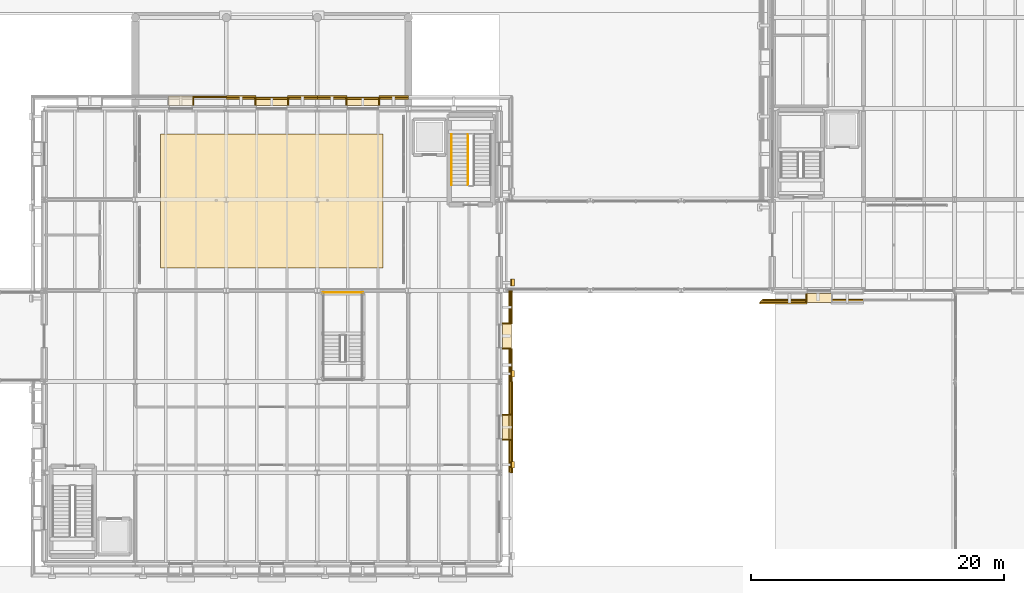
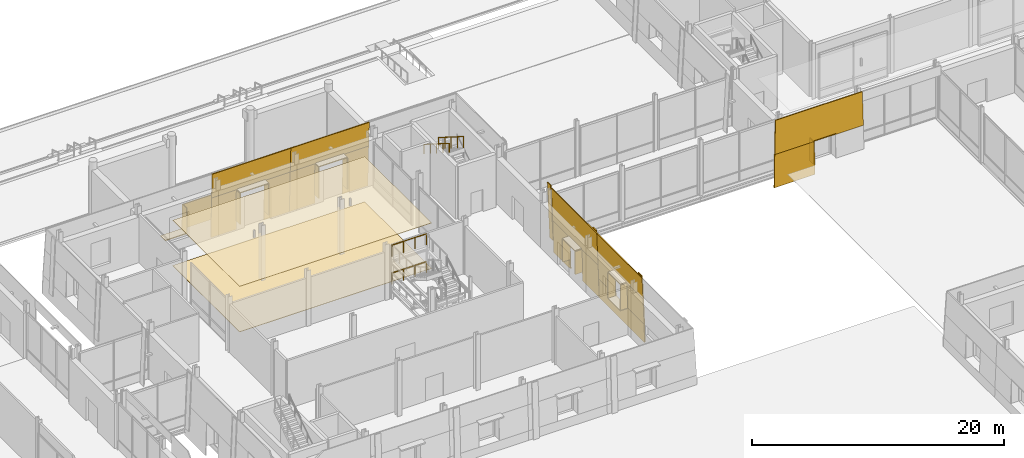
# One storey, part 113 of 120: 38 coverings, 4 railings.
"""IFC4 building model written with IfcOpenShell, lengths in metres."""

from ifc_helpers import new_model, si_unit, direction, frame, origin, origin_2d, place, context, subcontext, project, spatial, polyline, circle, outline, extrude, material, layer, layer_set, type_object, element, save


model = new_model("IFC4")

# Units and contexts
model_context = context("Model", 3, precision=1e-05, world=origin(), true_north=direction((0.0, 1.0)))
body_context = subcontext(model_context, "Body", "Model", "MODEL_VIEW")
ifc_project = project(units=[si_unit("LENGTHUNIT", "METRE"), si_unit("AREAUNIT", "SQUARE_METRE"), si_unit("VOLUMEUNIT", "CUBIC_METRE"), si_unit("PLANEANGLEUNIT", "RADIAN"), si_unit("MASSUNIT", "GRAM", prefix="KILO")], contexts=[model_context])

# Site, building, storey
site_placement = place(None, origin())
site = spatial("IfcSite", under=ifc_project, at=site_placement, CompositionType="ELEMENT")
building_placement = place(site_placement, origin())
building = spatial("IfcBuilding", under=site, at=building_placement, Name="Narikvali Park Central Library", CompositionType="ELEMENT")
storey_placement = place(building_placement, origin())
storey = spatial("IfcBuildingStorey", under=building, at=storey_placement, Name="L00", CompositionType="ELEMENT", Elevation=0.0)

# Coverings
ifc_material_1 = material(Name="Acoustic Micro-Perforated Caucasian Oak")
ifc_layer_1 = layer(ifc_material_1, 0.044921875, Name="Acoustic Micro-Perforated Caucasian Oak")
ifc_layer_set_1 = layer_set([ifc_layer_1], Name="Acoustic Micro-Perforated Caucasian Oak")
covering_type_1 = type_object("IfcCoveringType", Name="Acoustic Perforated Timber Suspended Ceiling", PredefinedType="CEILING", material=ifc_layer_set_1)
covering_1_placement = place(storey_placement, frame((0.0, 0.0, 4.39501953125)))
element("IfcCovering", 1, at=covering_1_placement, inside=storey, type_object=covering_type_1, Name="V1 L00 Acoustic Suspended Ceiling 01", PredefinedType="CEILING", context=body_context, shape_type="SweptSolid", body=[
    extrude(outline(polyline([(74.0, 81.0), (91.60009765625, 81.0), (91.60009765625, 91.60009765625), (74.0, 91.60009765625), (74.0, 81.0)])), origin(), (0.0, 0.0, 1.0), 0.044921875),
])
ifc_material_2 = material(Name="White Honed Limestone Cladding", Category="masonry")
ifc_layer_2 = layer(ifc_material_2, 0.0849609375, Name="White Honed Limestone Cladding")
ifc_layer_set_2 = layer_set([ifc_layer_2], Name="White Honed Limestone Cladding")
covering_type_2 = type_object("IfcCoveringType", Name="Battered White Limestone Facade Cladding Panel", PredefinedType="CLADDING", material=ifc_layer_set_2)
covering_2_placement = place(storey_placement, frame((101.97998046875, 65.14990234375, 0.0), z_axis=(0.999163953268, 0.0, 0.040882691821), x_axis=(0.0, 1.0, 0.0)))
element("IfcCovering", 2, at=covering_2_placement, inside=storey, type_object=covering_type_2, Name="V1 L00 E Classical Limestone Pilaster B02", PredefinedType="CLADDING", context=body_context, shape_type="SweptSolid", body=[
    extrude(outline(polyline([(0.0, 0.0), (0.550048828125, 0.0), (0.550048828125, 5.40442069200982), (0.0, 5.40442069200982), (0.0, 0.0)])), origin(), (0.0, 0.0, -1.0), 0.0849609375),
])
covering_3_placement = place(storey_placement, frame((101.840087890625, 64.800048828125, -0.8798828125), z_axis=(0.999785548483, 0.0, 0.020708863899), x_axis=(0.0, 1.0, 0.0)))
element("IfcCovering", 3, at=covering_3_placement, inside=storey, type_object=covering_type_2, Name="V1 L00 E Battered Limestone Spandrel B02", PredefinedType="CLADDING", context=body_context, shape_type="SweptSolid", body=[
    extrude(outline(polyline([(0.0, 0.0), (7.199951171875, 0.0), (7.199951171875, 1.780166915745083), (0.0, 1.780166915745083), (0.0, 0.0)])), origin(), (0.0, 0.0, -1.0), 0.0849609375),
])
covering_4_placement = place(storey_placement, frame((101.702880859375, 64.800048828125, 3.35009765625), z_axis=(0.99916170734, 0.0, 0.040937544941), x_axis=(0.0, 1.0, 0.0)))
element("IfcCovering", 4, at=covering_4_placement, inside=storey, type_object=covering_type_2, Name="V1 L00 E Battered Limestone Lintel B02", PredefinedType="CLADDING", context=body_context, shape_type="SweptSolid", body=[
    extrude(outline(polyline([(0.0, 0.0), (7.199951171875, 0.0), (7.199951171875, 2.0515244654015494), (0.0, 2.0515244654015494), (0.0, 0.0)])), origin(), (0.0, 0.0, -1.0), 0.0849609375),
])
for number, where, z_axis, x_axis, name in (
    (5, (101.80322265625, 64.800048828125, 0.89990234375), (0.999162496768, 0.0, 0.040918272835), (0.0, 1.0, 0.0), "V1 L00 E Battered Limestone Jamb Pier L B02"),
    (6, (101.80322265625, 69.340087890625, 0.89990234375), (0.999162496768, 0.0, 0.040918272835), (0.0, 1.0, 0.0), "V1 L00 E Battered Limestone Jamb Pier R B02"),
):
    element("IfcCovering", number, at=place(storey_placement, frame(where, z_axis=z_axis, x_axis=x_axis)), inside=storey, type_object=covering_type_2, Name=name, PredefinedType="CLADDING", context=body_context, shape_type="SweptSolid", body=[
        extrude(outline(polyline([(0.0, 0.0), (2.659912109375, 0.0), (2.659912109375, 2.4522490790286935), (0.0, 2.4522490790286935), (0.0, 0.0)])), origin(), (0.0, 0.0, -1.0), 0.0849609375),
    ])
covering_5_placement = place(storey_placement, frame((101.97998046875, 72.35009765625, 0.0), z_axis=(0.999163953268, 0.0, 0.040882691821), x_axis=(0.0, 1.0, 0.0)))
element("IfcCovering", 7, at=covering_5_placement, inside=storey, type_object=covering_type_2, Name="V1 L00 E Classical Limestone Pilaster B03", PredefinedType="CLADDING", context=body_context, shape_type="SweptSolid", body=[
    extrude(outline(polyline([(0.0, 0.0), (0.5498046875, 0.0), (0.5498046875, 5.40442069200982), (0.0, 5.40442069200982), (0.0, 0.0)])), origin(), (0.0, 0.0, -1.0), 0.0849609375),
])
for number, where, z_axis, x_axis, name in (
    (8, (101.840087890625, 72.0, -0.8798828125), (0.999567416371, 0.0, 0.029410544531), (0.0, 1.0, 0.0), "V1 L00 E Battered Portal Pier L B03"),
    (9, (101.840087890625, 76.56005859375, -0.8798828125), (0.999567416371, 0.0, 0.029410544531), (0.0, 1.0, 0.0), "V1 L00 E Battered Portal Pier R B03"),
):
    element("IfcCovering", number, at=place(storey_placement, frame(where, z_axis=z_axis, x_axis=x_axis)), inside=storey, type_object=covering_type_2, Name=name, PredefinedType="CLADDING", context=body_context, shape_type="SweptSolid", body=[
        extrude(outline(polyline([(0.0, 0.0), (2.639892578125, 0.0), (2.639892578125, 3.1212232369500366), (0.0, 3.1212232369500366), (0.0, 0.0)])), origin(), (0.0, 0.0, -1.0), 0.0849609375),
    ])
covering_6_placement = place(storey_placement, frame((101.748291015625, 72.0, 2.239990234375), z_axis=(0.9991626518, 0.0, 0.040914487016), x_axis=(0.0, 1.0, 0.0)))
element("IfcCovering", 10, at=covering_6_placement, inside=storey, type_object=covering_type_2, Name="V1 L00 E Battered Portal Header B03", PredefinedType="CLADDING", context=body_context, shape_type="SweptSolid", body=[
    extrude(outline(polyline([(0.0, 0.0), (7.199951171875, 0.0), (7.199951171875, 3.162560273527158), (0.0, 3.162560273527158), (0.0, 0.0)])), origin(), (0.0, 0.0, -1.0), 0.0849609375),
])
covering_7_placement = place(storey_placement, frame((101.97998046875, 79.550048828125, 0.0), z_axis=(0.999163953268, 0.0, 0.040882691821), x_axis=(0.0, 1.0, 0.0)))
element("IfcCovering", 11, at=covering_7_placement, inside=storey, type_object=covering_type_2, Name="V1 L00 E Classical Limestone Pilaster B04", PredefinedType="CLADDING", context=body_context, shape_type="SweptSolid", body=[
    extrude(outline(polyline([(0.0, 0.0), (0.550048828125, 0.0), (0.550048828125, 5.40442069200982), (0.0, 5.40442069200982), (0.0, 0.0)])), origin(), (0.0, 0.0, -1.0), 0.0849609375),
])
for number, where, z_axis, x_axis, name in (
    (12, (93.60009765625, 94.639892578125, -0.8798828125), (0.0, 0.999497884469, 0.031685626756), (-1.0, 0.0, 0.0), "V1 L00 N Battered Portal Pier L B02"),
    (13, (88.739990234375, 94.639892578125, -0.8798828125), (0.0, 0.999497884469, 0.031685626756), (-1.0, 0.0, 0.0), "V1 L00 N Battered Portal Pier R B02"),
):
    element("IfcCovering", number, at=place(storey_placement, frame(where, z_axis=z_axis, x_axis=x_axis)), inside=storey, type_object=covering_type_2, Name=name, PredefinedType="CLADDING", context=body_context, shape_type="SweptSolid", body=[
        extrude(outline(polyline([(0.0, 0.0), (2.340087890625, 0.0), (2.340087890625, 3.921891117442779), (0.0, 3.921891117442779), (0.0, 0.0)])), origin(), (0.0, 0.0, -1.0), 0.0849609375),
    ])
covering_8_placement = place(storey_placement, frame((93.60009765625, 94.515625, 3.0400390625), z_axis=(0.0, 0.999161852366, 0.040934005125), x_axis=(-1.0, 0.0, 0.0)))
element("IfcCovering", 14, at=covering_8_placement, inside=storey, type_object=covering_type_2, Name="V1 L00 N Battered Portal Header B02", PredefinedType="CLADDING", context=body_context, shape_type="SweptSolid", body=[
    extrude(outline(polyline([(0.0, 0.0), (7.2001953125, 0.0), (7.2001953125, 2.361842854249011), (0.0, 2.361842854249011), (0.0, 0.0)])), origin(), (0.0, 0.0, -1.0), 0.0849609375),
])
covering_9_placement = place(storey_placement, frame((86.39990234375, 94.639892578125, -0.8798828125), z_axis=(0.0, 0.999497884469, 0.031685626756), x_axis=(-1.0, 0.0, 0.0)))
element("IfcCovering", 15, at=covering_9_placement, inside=storey, type_object=covering_type_2, Name="V1 L00 N Battered Portal Pier L B03", PredefinedType="CLADDING", context=body_context, shape_type="SweptSolid", body=[
    extrude(outline(polyline([(0.0, 0.0), (2.33984375, 0.0), (2.33984375, 3.9218911174427786), (0.0, 3.9218911174427786), (0.0, 0.0)])), origin(), (0.0, 0.0, -1.0), 0.0849609375),
])
covering_10_placement = place(storey_placement, frame((81.5400390625, 94.639892578125, -0.8798828125), z_axis=(0.0, 0.999497884469, 0.031685626756), x_axis=(-1.0, 0.0, 0.0)))
element("IfcCovering", 16, at=covering_10_placement, inside=storey, type_object=covering_type_2, Name="V1 L00 N Battered Portal Pier R B03", PredefinedType="CLADDING", context=body_context, shape_type="SweptSolid", body=[
    extrude(outline(polyline([(0.0, 0.0), (2.340087890625, 0.0), (2.340087890625, 3.921891117442779), (0.0, 3.921891117442779), (0.0, 0.0)])), origin(), (0.0, 0.0, -1.0), 0.0849609375),
])
covering_11_placement = place(storey_placement, frame((86.39990234375, 94.515625, 3.0400390625), z_axis=(0.0, 0.999161852366, 0.040934005125), x_axis=(-1.0, 0.0, 0.0)))
element("IfcCovering", 17, at=covering_11_placement, inside=storey, type_object=covering_type_2, Name="V1 L00 N Battered Portal Header B03", PredefinedType="CLADDING", context=body_context, shape_type="SweptSolid", body=[
    extrude(outline(polyline([(0.0, 0.0), (7.199951171875, 0.0), (7.199951171875, 2.361842854249011), (0.0, 2.361842854249011), (0.0, 0.0)])), origin(), (0.0, 0.0, -1.0), 0.0849609375),
])
covering_12_placement = place(storey_placement, frame((79.199951171875, 94.603271484375, 0.89990234375), z_axis=(0.0, 0.999162496768, 0.040918272835), x_axis=(-1.0, 0.0, 0.0)))
element("IfcCovering", 18, at=covering_12_placement, inside=storey, type_object=covering_type_2, Name="V1 L00 N Battered Limestone Jamb Pier L B04", PredefinedType="CLADDING", context=body_context, shape_type="SweptSolid", body=[
    extrude(outline(polyline([(0.0, 0.0), (2.659912109375, 0.0), (2.659912109375, 2.4522490790286935), (0.0, 2.4522490790286935), (0.0, 0.0)])), origin(), (0.0, 0.0, -1.0), 0.0849609375),
])
covering_13_placement = place(storey_placement, frame((121.360107421875, 78.159912109375, -0.8798828125), z_axis=(0.0, -0.999301161828, 0.037378977647), x_axis=(1.0, 0.0, 0.0)))
element("IfcCovering", 19, at=covering_13_placement, inside=storey, type_object=covering_type_2, Name="V3 L00 S Battered Portal Pier L B01", PredefinedType="CLADDING", context=body_context, shape_type="SweptSolid", body=[
    extrude(outline(polyline([(0.0, 0.0), (3.7568359375, 0.0), (3.7568359375, 3.1220548579859955), (0.11669921875, 3.1220548579859955), (0.0, 0.0)])), origin(), (0.0, 0.0, -1.0), 0.0849609375),
])
covering_14_placement = place(storey_placement, frame((121.476806640625, 78.276611328125, 2.239990234375), z_axis=(0.0, -0.998642865618, 0.052080965332), x_axis=(1.0, 0.0, 0.0)))
element("IfcCovering", 20, at=covering_14_placement, inside=storey, type_object=covering_type_2, Name="V3 L00 S Battered Portal Header B01", PredefinedType="CLADDING", context=body_context, shape_type="SweptSolid", body=[
    extrude(outline(polyline([(0.0, 0.0), (8.123291015625, 0.0), (8.123291015625, 3.164206362620894), (0.16455078125, 3.164206362620894), (0.0, 0.0)])), origin(), (0.0, 0.0, -1.0), 0.0849609375),
])
ifc_layer_3 = layer(ifc_material_2, 0.080078125, Name="White Honed Limestone Cladding")
ifc_layer_set_3 = layer_set([ifc_layer_3], Name="White Honed Limestone Cladding")
covering_type_3 = type_object("IfcCoveringType", Name="Deep Carved White Limestone Window Reveal", PredefinedType="CLADDING", material=ifc_layer_set_3)
covering_15_placement = place(storey_placement, frame((0.0, 0.0, 3.35009765625)))
element("IfcCovering", 21, at=covering_15_placement, inside=storey, type_object=covering_type_3, Name="Deep Stone Reveal Head V1-RVL-L00-E-B02", PredefinedType="CLADDING", context=body_context, shape_type="SweptSolid", body=[
    extrude(outline(polyline([(101.044921875, 67.419921875), (101.044921875, 69.3798828125), (101.702880859375, 69.3798828125), (101.702880859375, 67.419921875), (101.044921875, 67.419921875)])), origin(), (0.0, 0.0, 1.0), 0.079833984375),
])
covering_16_placement = place(storey_placement, frame((0.0, 0.0, 0.820068359375)))
element("IfcCovering", 22, at=covering_16_placement, inside=storey, type_object=covering_type_3, Name="Deep Stone Reveal Sill V1-RVL-L00-E-B02", PredefinedType="CLADDING", context=body_context, shape_type="SweptSolid", body=[
    extrude(outline(polyline([(101.044921875, 67.419921875), (101.044921875, 69.3798828125), (101.80322265625, 69.3798828125), (101.80322265625, 67.419921875), (101.044921875, 67.419921875)])), origin(), (0.0, 0.0, 1.0), 0.079833984375),
])
covering_17_placement = place(storey_placement, frame((0.0, 0.0, 0.89990234375)))
element("IfcCovering", 23, at=covering_17_placement, inside=storey, type_object=covering_type_3, Name="Deep Stone Reveal Jamb L V1-RVL-L00-E-B02", PredefinedType="CLADDING", context=body_context, shape_type="SweptSolid", body=[
    extrude(outline(polyline([(101.044921875, 67.3798828125), (101.044921875, 67.4599609375), (101.702880859375, 67.4599609375), (101.702880859375, 67.3798828125), (101.044921875, 67.3798828125)])), origin(), (0.0, 0.0, 1.0), 2.4501953125),
])
covering_18_placement = place(storey_placement, frame((0.0, 0.0, 0.89990234375)))
element("IfcCovering", 24, at=covering_18_placement, inside=storey, type_object=covering_type_3, Name="Deep Stone Reveal Jamb R V1-RVL-L00-E-B02", PredefinedType="CLADDING", context=body_context, shape_type="SweptSolid", body=[
    extrude(outline(polyline([(101.044921875, 69.340087890625), (101.044921875, 69.419921875), (101.702880859375, 69.419921875), (101.702880859375, 69.340087890625), (101.044921875, 69.340087890625)])), origin(), (0.0, 0.0, 1.0), 2.4501953125),
])
covering_19_placement = place(storey_placement, frame((0.0, 0.0, 2.239990234375)))
element("IfcCovering", 25, at=covering_19_placement, inside=storey, type_object=covering_type_3, Name="Deep Stone Reveal Head V1-RVL-L00-E-B03", PredefinedType="CLADDING", context=body_context, shape_type="SweptSolid", body=[
    extrude(outline(polyline([(101.044921875, 74.60009765625), (101.044921875, 76.60009765625), (101.748291015625, 76.60009765625), (101.748291015625, 74.60009765625), (101.044921875, 74.60009765625)])), origin(), (0.0, 0.0, 1.0), 0.080078125),
])
covering_20_placement = place(storey_placement, frame((0.0, 0.0, 0.02001953125)))
element("IfcCovering", 26, at=covering_20_placement, inside=storey, type_object=covering_type_3, Name="Deep Stone Reveal Jamb L V1-RVL-L00-E-B03", PredefinedType="CLADDING", context=body_context, shape_type="SweptSolid", body=[
    extrude(outline(polyline([(101.044921875, 74.56005859375), (101.044921875, 74.639892578125), (101.748291015625, 74.639892578125), (101.748291015625, 74.56005859375), (101.044921875, 74.56005859375)])), origin(), (0.0, 0.0, 1.0), 2.219970703125),
])
covering_21_placement = place(storey_placement, frame((0.0, 0.0, 0.02001953125)))
element("IfcCovering", 27, at=covering_21_placement, inside=storey, type_object=covering_type_3, Name="Deep Stone Reveal Jamb R V1-RVL-L00-E-B03", PredefinedType="CLADDING", context=body_context, shape_type="SweptSolid", body=[
    extrude(outline(polyline([(101.044921875, 76.56005859375), (101.044921875, 76.639892578125), (101.748291015625, 76.639892578125), (101.748291015625, 76.56005859375), (101.044921875, 76.56005859375)])), origin(), (0.0, 0.0, 1.0), 2.219970703125),
])
covering_22_placement = place(storey_placement, frame((0.0, 0.0, 3.0400390625)))
element("IfcCovering", 28, at=covering_22_placement, inside=storey, type_object=covering_type_3, Name="Deep Stone Reveal Head V1-RVL-L00-N-B02", PredefinedType="CLADDING", context=body_context, shape_type="SweptSolid", body=[
    extrude(outline(polyline([(91.300048828125, 93.844970703125), (88.699951171875, 93.844970703125), (88.699951171875, 94.515625), (91.300048828125, 94.515625), (91.300048828125, 93.844970703125)])), origin(), (0.0, 0.0, 1.0), 0.080078125),
])
covering_23_placement = place(storey_placement, frame((0.0, 0.0, 0.02001953125)))
element("IfcCovering", 29, at=covering_23_placement, inside=storey, type_object=covering_type_3, Name="Deep Stone Reveal Jamb L V1-RVL-L00-N-B02", PredefinedType="CLADDING", context=body_context, shape_type="SweptSolid", body=[
    extrude(outline(polyline([(91.340087890625, 93.844970703125), (91.260009765625, 93.844970703125), (91.260009765625, 94.515625), (91.340087890625, 94.515625), (91.340087890625, 93.844970703125)])), origin(), (0.0, 0.0, 1.0), 3.02001953125),
])
covering_24_placement = place(storey_placement, frame((0.0, 0.0, 0.02001953125)))
element("IfcCovering", 30, at=covering_24_placement, inside=storey, type_object=covering_type_3, Name="Deep Stone Reveal Jamb R V1-RVL-L00-N-B02", PredefinedType="CLADDING", context=body_context, shape_type="SweptSolid", body=[
    extrude(outline(polyline([(88.739990234375, 93.844970703125), (88.659912109375, 93.844970703125), (88.659912109375, 94.515625), (88.739990234375, 94.515625), (88.739990234375, 93.844970703125)])), origin(), (0.0, 0.0, 1.0), 3.02001953125),
])
covering_25_placement = place(storey_placement, frame((0.0, 0.0, 3.0400390625)))
element("IfcCovering", 31, at=covering_25_placement, inside=storey, type_object=covering_type_3, Name="Deep Stone Reveal Head V1-RVL-L00-N-B03", PredefinedType="CLADDING", context=body_context, shape_type="SweptSolid", body=[
    extrude(outline(polyline([(84.10009765625, 93.844970703125), (81.5, 93.844970703125), (81.5, 94.515625), (84.10009765625, 94.515625), (84.10009765625, 93.844970703125)])), origin(), (0.0, 0.0, 1.0), 0.080078125),
])
covering_26_placement = place(storey_placement, frame((0.0, 0.0, 0.02001953125)))
element("IfcCovering", 32, at=covering_26_placement, inside=storey, type_object=covering_type_3, Name="Deep Stone Reveal Jamb L V1-RVL-L00-N-B03", PredefinedType="CLADDING", context=body_context, shape_type="SweptSolid", body=[
    extrude(outline(polyline([(84.139892578125, 93.844970703125), (84.06005859375, 93.844970703125), (84.06005859375, 94.515625), (84.139892578125, 94.515625), (84.139892578125, 93.844970703125)])), origin(), (0.0, 0.0, 1.0), 3.02001953125),
])
covering_27_placement = place(storey_placement, frame((0.0, 0.0, 0.02001953125)))
element("IfcCovering", 33, at=covering_27_placement, inside=storey, type_object=covering_type_3, Name="Deep Stone Reveal Jamb R V1-RVL-L00-N-B03", PredefinedType="CLADDING", context=body_context, shape_type="SweptSolid", body=[
    extrude(outline(polyline([(81.5400390625, 93.844970703125), (81.4599609375, 93.844970703125), (81.4599609375, 94.515625), (81.5400390625, 94.515625), (81.5400390625, 93.844970703125)])), origin(), (0.0, 0.0, 1.0), 3.02001953125),
])
covering_28_placement = place(storey_placement, frame((0.0, 0.0, 0.820068359375)))
element("IfcCovering", 34, at=covering_28_placement, inside=storey, type_object=covering_type_3, Name="Deep Stone Reveal Sill V1-RVL-L00-N-B04", PredefinedType="CLADDING", context=body_context, shape_type="SweptSolid", body=[
    extrude(outline(polyline([(76.580078125, 93.844970703125), (74.6201171875, 93.844970703125), (74.6201171875, 94.603271484375), (76.580078125, 94.603271484375), (76.580078125, 93.844970703125)])), origin(), (0.0, 0.0, 1.0), 0.079833984375),
])
covering_29_placement = place(storey_placement, frame((0.0, 0.0, 0.89990234375)))
element("IfcCovering", 35, at=covering_29_placement, inside=storey, type_object=covering_type_3, Name="Deep Stone Reveal Jamb L V1-RVL-L00-N-B04", PredefinedType="CLADDING", context=body_context, shape_type="SweptSolid", body=[
    extrude(outline(polyline([(76.6201171875, 93.844970703125), (76.5400390625, 93.844970703125), (76.5400390625, 94.5029296875), (76.6201171875, 94.5029296875), (76.6201171875, 93.844970703125)])), origin(), (0.0, 0.0, 1.0), 2.4501953125),
])
covering_30_placement = place(storey_placement, frame((0.0, 0.0, 2.239990234375)))
element("IfcCovering", 36, at=covering_30_placement, inside=storey, type_object=covering_type_3, Name="Deep Stone Reveal Head V3-RVL-L00-S-B01", PredefinedType="CLADDING", context=body_context, shape_type="SweptSolid", body=[
    extrude(outline(polyline([(125.076904296875, 78.955078125), (127.076904296875, 78.955078125), (127.076904296875, 78.276611328125), (125.076904296875, 78.276611328125), (125.076904296875, 78.955078125)])), origin(), (0.0, 0.0, 1.0), 0.080078125),
])
covering_31_placement = place(storey_placement, frame((0.0, 0.0, 0.02001953125)))
element("IfcCovering", 37, at=covering_31_placement, inside=storey, type_object=covering_type_3, Name="Deep Stone Reveal Jamb L V3-RVL-L00-S-B01", PredefinedType="CLADDING", context=body_context, shape_type="SweptSolid", body=[
    extrude(outline(polyline([(125.037109375, 78.955078125), (125.116943359375, 78.955078125), (125.116943359375, 78.276611328125), (125.037109375, 78.276611328125), (125.037109375, 78.955078125)])), origin(), (0.0, 0.0, 1.0), 2.219970703125),
])
ifc_material_3 = material(Name="Polished Georgian Basalt Terrazzo", Category="masonry")
ifc_layer_4 = layer(ifc_material_3, 0.0400390625, Name="Polished Georgian Basalt Terrazzo")
ifc_layer_set_4 = layer_set([ifc_layer_4], Name="Polished Georgian Basalt Terrazzo")
covering_type_4 = type_object("IfcCoveringType", Name="Polished Basalt Terrazzo Floor Finish", PredefinedType="FLOORING", material=ifc_layer_set_4)
covering_32_placement = place(storey_placement, origin())
element("IfcCovering", 38, at=covering_32_placement, inside=storey, type_object=covering_type_4, Name="V1 L00 Basalt Terrazzo Flooring 01", PredefinedType="FLOORING", context=body_context, shape_type="SweptSolid", body=[
    extrude(outline(polyline([(74.0, 81.0), (91.60009765625, 81.0), (91.60009765625, 91.60009765625), (74.0, 91.60009765625), (74.0, 81.0)])), origin(), (0.0, 0.0, 1.0), 0.0400390625),
])

# Railings
ifc_material_4 = material(Name="Brushed Stainless Steel S355", Category="steel")
ifc_layer_5 = layer(ifc_material_4, 0.044921875, Name="Brushed Stainless Steel S355")
ifc_layer_set_5 = layer_set([ifc_layer_5], Name="Brushed Stainless Steel S355")
railing_type_1 = type_object("IfcRailingType", Name="Stair Tubular Steel Handrail 900", PredefinedType="HANDRAIL", material=ifc_layer_set_5)
railing_1_placement = place(storey_placement, frame((97.0, 91.5400390625, 2.8798828125)))
element("IfcRailing", 39, at=railing_1_placement, inside=storey, type_object=railing_type_1, Name="L00 ST-02 stair handrail 2", PredefinedType="HANDRAIL", context=body_context, shape_type="SweptSolid", body=[
    extrude(circle(Radius=0.02392578125, at=origin_2d()), frame((0.0, 0.0, 0.8759765625), z_axis=(0.0, -0.845486444383, 0.533996884227), x_axis=(1.0, 0.0, 0.0)), (0.0, 0.0, 1.0), 4.71923828125),
    extrude(circle(Radius=0.02099609375, at=origin_2d()), origin(), (0.0, 0.0, 1.0), 0.851806640625),
    extrude(circle(Radius=0.02099609375, at=origin_2d()), frame((0.0, -0.99755859375, 0.6298828125)), (0.0, 0.0, 1.0), 0.851806640625),
    extrude(circle(Radius=0.02099609375, at=origin_2d()), frame((0.0, -1.9951171875, 1.260009765625)), (0.0, 0.0, 1.0), 0.851806640625),
    extrude(circle(Radius=0.02099609375, at=origin_2d()), frame((0.0, -2.992431640625, 1.89013671875)), (0.0, 0.0, 1.0), 0.851806640625),
    extrude(circle(Radius=0.02099609375, at=origin_2d()), frame((0.0, -3.989990234375, 2.52001953125)), (0.0, 0.0, 1.0), 0.851806640625),
])
ifc_material_5 = material(Name="Powder-Coated Steel S275", Category="steel")
ifc_layer_6 = layer(ifc_material_5, 0.050048828125, Name="Powder-Coated Steel S275")
ifc_layer_set_6 = layer_set([ifc_layer_6], Name="Powder-Coated Steel S275")
railing_type_2 = type_object("IfcRailingType", Name="Stair Well Steel Guardrail 1100", PredefinedType="GUARDRAIL", material=ifc_layer_set_6)
railing_2_placement = place(storey_placement, frame((98.320068359375, 91.5400390625, 2.8798828125)))
element("IfcRailing", 40, at=railing_2_placement, inside=storey, type_object=railing_type_2, Name="L00 ST-02 stair guard 3", PredefinedType="GUARDRAIL", context=body_context, shape_type="SweptSolid", body=[
    extrude(circle(Radius=0.02392578125, at=origin_2d()), frame((0.0, 0.0, 1.076171875), z_axis=(0.0, -0.845486444383, 0.533996884227), x_axis=(1.0, 0.0, 0.0)), (0.0, 0.0, 1.0), 4.71923828125),
    extrude(circle(Radius=0.02099609375, at=origin_2d()), origin(), (0.0, 0.0, 1.0), 1.052001953125),
    extrude(circle(Radius=0.02099609375, at=origin_2d()), frame((0.0, -0.99755859375, 0.6298828125)), (0.0, 0.0, 1.0), 1.052001953125),
    extrude(circle(Radius=0.02099609375, at=origin_2d()), frame((0.0, -1.9951171875, 1.260009765625)), (0.0, 0.0, 1.0), 1.052001953125),
    extrude(circle(Radius=0.02099609375, at=origin_2d()), frame((0.0, -2.992431640625, 1.89013671875)), (0.0, 0.0, 1.0), 1.052001953125),
    extrude(circle(Radius=0.02099609375, at=origin_2d()), frame((0.0, -3.989990234375, 2.52001953125)), (0.0, 0.0, 1.0), 1.052001953125),
])
for number, where, name in (
    (41, (90.0, 79.050048828125, 1.35009765625), "L00 ST-13 stair guard 5"),
    (42, (90.0, 79.050048828125, 4.050048828125), "L00 ST-13 stair guard 14"),
):
    element("IfcRailing", number, at=place(storey_placement, frame(where)), inside=storey, type_object=railing_type_2, Name=name, PredefinedType="GUARDRAIL", context=body_context, shape_type="SweptSolid", body=[
        extrude(circle(Radius=0.02392578125, at=origin_2d()), frame((0.0, 0.0, 1.076171875), z_axis=(-1.0, 0.0, 0.0), x_axis=(0.0, -1.0, 0.0)), (0.0, 0.0, 1.0), 3.14990234375),
        extrude(circle(Radius=0.02099609375, at=origin_2d()), origin(), (0.0, 0.0, 1.0), 1.052001953125),
        extrude(circle(Radius=0.02099609375, at=origin_2d()), frame((-1.050048828125, 0.0, 0.0)), (0.0, 0.0, 1.0), 1.052001953125),
        extrude(circle(Radius=0.02099609375, at=origin_2d()), frame((-2.099853515625, 0.0, 0.0)), (0.0, 0.0, 1.0), 1.052001953125),
        extrude(circle(Radius=0.02099609375, at=origin_2d()), frame((-3.14990234375, 0.0, 0.0)), (0.0, 0.0, 1.0), 1.052001953125),
    ])

save(model, "model.ifc")
